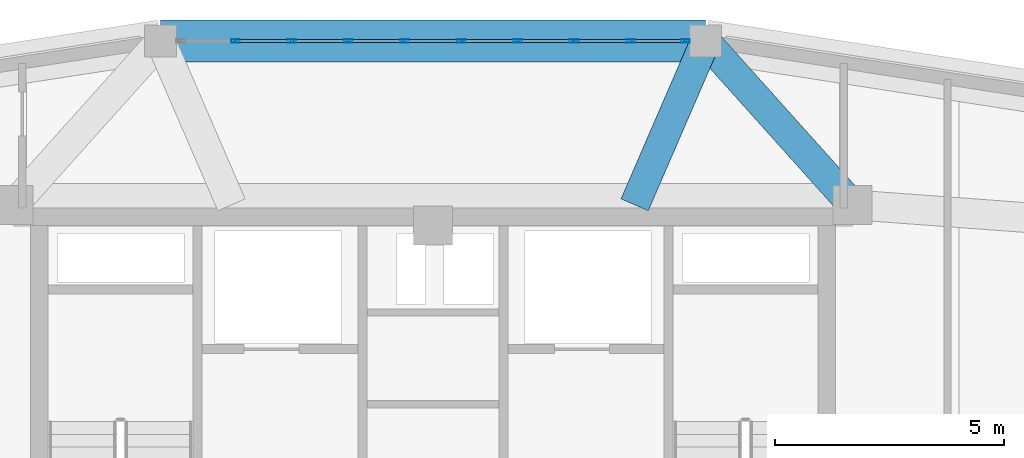
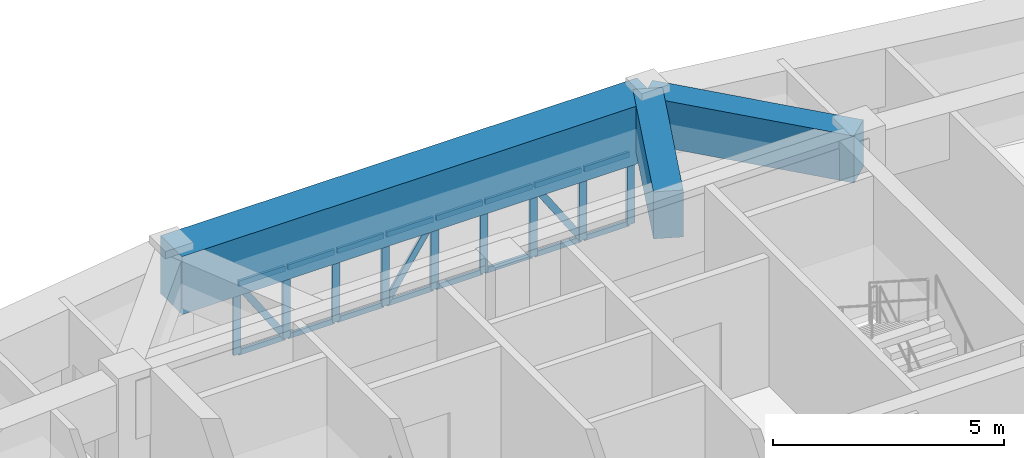
# One storey, part 11 of 16: 28 members, 3 beams, 1 element without a shape of its own.
"""IFC4 building model written with IfcOpenShell, lengths in metres."""

from ifc_helpers import new_model, si_unit, derived_unit, direction, frame, origin, origin_2d, place, context, subcontext, project, spatial, rectangle, hollow_rectangle, extrude, source, transform, mapped, material, layer, layer_set, material_profile, profile_set, type_object, element, aggregate, save


model = new_model("IFC4")

# Units and contexts
model_context = context("Model", 3, precision=1e-05, world=origin(), true_north=direction((0.0, 1.0)))
body_context = subcontext(model_context, "Body", "Model", "MODEL_VIEW")
ifc_project = project(units=[si_unit("LENGTHUNIT", "METRE"), si_unit("AREAUNIT", "SQUARE_METRE"), si_unit("VOLUMEUNIT", "CUBIC_METRE"), si_unit("PLANEANGLEUNIT", "RADIAN"), si_unit("MASSUNIT", "GRAM", prefix="KILO"), derived_unit("THERMALTRANSMITTANCEUNIT", [(si_unit("POWERUNIT", "WATT"), 1), (si_unit("LENGTHUNIT", "METRE"), -2), (si_unit("THERMODYNAMICTEMPERATUREUNIT", "KELVIN"), -1)])], contexts=[model_context])

# Site, building, storey
site_placement = place(None, origin())
site = spatial("IfcSite", under=ifc_project, at=site_placement, CompositionType="ELEMENT")
building_placement = place(site_placement, origin())
building = spatial("IfcBuilding", under=site, at=building_placement, Name="Korsvarv Bourse and Concert Hall", CompositionType="ELEMENT")
storey_placement = place(building_placement, frame((0.0, 0.0, 261.0)))
storey = spatial("IfcBuildingStorey", under=building, at=storey_placement, Name="L68", CompositionType="ELEMENT", Elevation=261.0)

# Beams
ifc_material_1 = material(Name="Concrete C50/60", Category="concrete")
ifc_material_profile_1 = material_profile(ifc_material_1, rectangle(XDim=0.919921875, YDim=1.530029296875, at=origin_2d()), Name="RC-BM 920x1530")
ifc_profile_set_1 = profile_set([ifc_material_profile_1], Name="Concrete C50/60")
beam_type_1 = type_object("IfcBeamType", Name="BM-TR-154", PredefinedType="BEAM", material=ifc_profile_set_1)
shared_shape_1 = source(origin(), body_context, "Body", "SweptSolid", [
    extrude(rectangle(XDim=0.919921875, YDim=1.530029296875, at=origin_2d()), origin(), (0.0, 0.0, 1.0), 11.8916015625),
])
beam_1_placement = place(storey_placement, frame((41.94580078125, 50.82275390625, 2.64501953125), z_axis=(-1.0, 0.0, 0.0), x_axis=(0.0, -1.0, 0.0)))
element("IfcBeam", 1, at=beam_1_placement, inside=storey, type_object=beam_type_1, Name="L68 beam B-TR6", PredefinedType="BEAM", context=body_context, shape_type="MappedRepresentation", body=[
    mapped(shared_shape_1, transform((0.0, 0.0, 0.0), scale=1.0)),
])
ifc_material_profile_2 = material_profile(ifc_material_1, rectangle(XDim=0.64990234375, YDim=1.239990234375, at=origin_2d()), Name="RC-BM 650x1240")
ifc_profile_set_2 = profile_set([ifc_material_profile_2], Name="Concrete C50/60")
beam_type_2 = type_object("IfcBeamType", Name="BM-TR-SPN", PredefinedType="BEAM", material=ifc_profile_set_2)
shared_shape_2 = source(origin(), body_context, "Body", "SweptSolid", [
    extrude(rectangle(XDim=0.64990234375, YDim=1.239990234375, at=origin_2d()), origin(), (0.0, 0.0, 1.0), 4.799072265625),
])
beam_2_placement = place(storey_placement, frame((41.94580078125, 50.82275390625, 2.7900390625), z_axis=(0.667653930614, -0.744471778468, 0.0), x_axis=(0.744471778468, 0.667653930614, 0.0)))
element("IfcBeam", 2, at=beam_2_placement, inside=storey, type_object=beam_type_2, Name="L68 beam B-TRS", PredefinedType="BEAM", context=body_context, shape_type="MappedRepresentation", body=[
    mapped(shared_shape_2, transform((0.0, 0.0, 0.0), scale=1.0)),
])
shared_shape_3 = source(origin(), body_context, "Body", "SweptSolid", [
    extrude(rectangle(XDim=0.64990234375, YDim=1.239990234375, at=origin_2d()), origin(), (0.0, 0.0, 1.0), 3.893310546875),
])
beam_3_placement = place(storey_placement, frame((41.94580078125, 50.82275390625, 2.7900390625), z_axis=(-0.397322325566, -0.917679121265, 0.0), x_axis=(0.917679121265, -0.397322325566, 0.0)))
element("IfcBeam", 3, at=beam_3_placement, inside=storey, type_object=beam_type_2, Name="L68 beam B-TRS", PredefinedType="BEAM", context=body_context, shape_type="MappedRepresentation", body=[
    mapped(shared_shape_3, transform((0.0, 0.0, 0.0), scale=1.0)),
])

# Curtain wall, members
ifc_material_2 = material(Name="Anodised aluminium and triple low-E glazing", Category="glass")
ifc_layer = layer(ifc_material_2, 0.199951171875)
ifc_layer_set = layer_set([ifc_layer], Name="Anodised aluminium and triple low-E glazing")
curtain_wall_type = type_object("IfcCurtainWallType", Name="CW-SYS-3", PredefinedType="NOTDEFINED", material=ifc_layer_set)
curtain_wall_placement = place(storey_placement, origin())
curtain_wall = element("IfcCurtainWall", 4, at=curtain_wall_placement, inside=storey, type_object=curtain_wall_type, Name="L68 CW3 curtain wall CW-L68-F03", PredefinedType="NOTDEFINED")
ifc_material_3 = material(Name="Extruded aluminium EN AW-6063 T66", Category="aluminium")
ifc_material_profile_3 = material_profile(ifc_material_3, hollow_rectangle(XDim=0.070068359375, YDim=0.18994140625, WallThickness=0.0048828125, at=origin_2d()), Name="ALU-M 70x190")
ifc_profile_set_3 = profile_set([ifc_material_profile_3], Name="Extruded aluminium EN AW-6063 T66")
member_type_1 = type_object("IfcMemberType", Name="CWM-190", PredefinedType="MULLION", material=ifc_profile_set_3)
shared_shape_4 = source(origin(), body_context, "Body", "SweptSolid", [
    extrude(hollow_rectangle(XDim=0.070068359375, YDim=0.18994140625, WallThickness=0.0048828125, at=origin_2d()), origin(), (0.0, 0.0, 1.0), 1.8798828125),
])
member_1_placement = place(storey_placement, frame((41.5107421875, 50.82275390625, 0.0), z_axis=(0.0, 0.0, 1.0), x_axis=(0.0, -1.0, 0.0)))
member_1 = element("IfcMember", 5, at=member_1_placement, type_object=member_type_1, Name="CW3 mullion 1", PredefinedType="MULLION", context=body_context, shape_type="MappedRepresentation", body=[
    mapped(shared_shape_4, transform((0.0, 0.0, 0.0), scale=1.0)),
])
member_2_placement = place(storey_placement, frame((40.313232421875, 50.82275390625, 0.0), z_axis=(0.0, 0.0, 1.0), x_axis=(0.0, -1.0, 0.0)))
member_2 = element("IfcMember", 6, at=member_2_placement, type_object=member_type_1, Name="CW3 mullion 2", PredefinedType="MULLION", context=body_context, shape_type="MappedRepresentation", body=[
    mapped(shared_shape_4, transform((0.0, 0.0, 0.0), scale=1.0)),
])
member_3_placement = place(storey_placement, frame((39.0810546875, 50.82275390625, 0.0), z_axis=(0.0, 0.0, 1.0), x_axis=(0.0, -1.0, 0.0)))
member_3 = element("IfcMember", 7, at=member_3_placement, type_object=member_type_1, Name="CW3 mullion 3", PredefinedType="MULLION", context=body_context, shape_type="MappedRepresentation", body=[
    mapped(shared_shape_4, transform((0.0, 0.0, 0.0), scale=1.0)),
])
member_4_placement = place(storey_placement, frame((37.8486328125, 50.82275390625, 0.0), z_axis=(0.0, 0.0, 1.0), x_axis=(0.0, -1.0, 0.0)))
member_4 = element("IfcMember", 8, at=member_4_placement, type_object=member_type_1, Name="CW3 mullion 4", PredefinedType="MULLION", context=body_context, shape_type="MappedRepresentation", body=[
    mapped(shared_shape_4, transform((0.0, 0.0, 0.0), scale=1.0)),
])
member_5_placement = place(storey_placement, frame((36.6162109375, 50.82275390625, 0.0), z_axis=(0.0, 0.0, 1.0), x_axis=(0.0, -1.0, 0.0)))
member_5 = element("IfcMember", 9, at=member_5_placement, type_object=member_type_1, Name="CW3 mullion 5", PredefinedType="MULLION", context=body_context, shape_type="MappedRepresentation", body=[
    mapped(shared_shape_4, transform((0.0, 0.0, 0.0), scale=1.0)),
])
member_6_placement = place(storey_placement, frame((35.3837890625, 50.82275390625, 0.0), z_axis=(0.0, 0.0, 1.0), x_axis=(0.0, -1.0, 0.0)))
member_6 = element("IfcMember", 10, at=member_6_placement, type_object=member_type_1, Name="CW3 mullion 6", PredefinedType="MULLION", context=body_context, shape_type="MappedRepresentation", body=[
    mapped(shared_shape_4, transform((0.0, 0.0, 0.0), scale=1.0)),
])
member_7_placement = place(storey_placement, frame((34.1513671875, 50.82275390625, 0.0), z_axis=(0.0, 0.0, 1.0), x_axis=(0.0, -1.0, 0.0)))
member_7 = element("IfcMember", 11, at=member_7_placement, type_object=member_type_1, Name="CW3 mullion 7", PredefinedType="MULLION", context=body_context, shape_type="MappedRepresentation", body=[
    mapped(shared_shape_4, transform((0.0, 0.0, 0.0), scale=1.0)),
])
member_8_placement = place(storey_placement, frame((32.9189453125, 50.82275390625, 0.0), z_axis=(0.0, 0.0, 1.0), x_axis=(0.0, -1.0, 0.0)))
member_8 = element("IfcMember", 12, at=member_8_placement, type_object=member_type_1, Name="CW3 mullion 8", PredefinedType="MULLION", context=body_context, shape_type="MappedRepresentation", body=[
    mapped(shared_shape_4, transform((0.0, 0.0, 0.0), scale=1.0)),
])
member_9_placement = place(storey_placement, frame((31.686767578125, 50.82275390625, 0.0), z_axis=(0.0, 0.0, 1.0), x_axis=(0.0, -1.0, 0.0)))
member_9 = element("IfcMember", 13, at=member_9_placement, type_object=member_type_1, Name="CW3 mullion 9", PredefinedType="MULLION", context=body_context, shape_type="MappedRepresentation", body=[
    mapped(shared_shape_4, transform((0.0, 0.0, 0.0), scale=1.0)),
])
ifc_material_profile_4 = material_profile(ifc_material_3, hollow_rectangle(XDim=0.06494140625, YDim=0.139892578125, WallThickness=0.00390625, at=origin_2d()), Name="ALU-T 65x140")
ifc_profile_set_4 = profile_set([ifc_material_profile_4], Name="Extruded aluminium EN AW-6063 T66")
member_type_2 = type_object("IfcMemberType", Name="CWT-140", PredefinedType="USERDEFINED", material=ifc_profile_set_4)
shared_shape_5 = source(origin(), body_context, "Body", "SweptSolid", [
    extrude(hollow_rectangle(XDim=0.06494140625, YDim=0.139892578125, WallThickness=0.00390625, at=origin_2d()), origin(), (0.0, 0.0, 1.0), 1.127197265625),
])
member_10_placement = place(storey_placement, frame((41.4755859375, 50.82275390625, 0.032470703125), z_axis=(-1.0, 0.0, 0.0), x_axis=(0.0, -1.0, 0.0)))
member_10 = element("IfcMember", 14, at=member_10_placement, type_object=member_type_2, Name="CW3 transom 1.1", ObjectType="TRANSOM", PredefinedType="USERDEFINED", context=body_context, shape_type="MappedRepresentation", body=[
    mapped(shared_shape_5, transform((0.0, 0.0, 0.0), scale=1.0)),
])
member_11_placement = place(storey_placement, frame((41.4755859375, 50.82275390625, 1.847412109375), z_axis=(-1.0, 0.0, 0.0), x_axis=(0.0, -1.0, 0.0)))
member_11 = element("IfcMember", 15, at=member_11_placement, type_object=member_type_2, Name="CW3 transom 1.2", ObjectType="TRANSOM", PredefinedType="USERDEFINED", context=body_context, shape_type="MappedRepresentation", body=[
    mapped(shared_shape_5, transform((0.0, 0.0, 0.0), scale=1.0)),
])
shared_shape_6 = source(origin(), body_context, "Body", "SweptSolid", [
    extrude(hollow_rectangle(XDim=0.06494140625, YDim=0.139892578125, WallThickness=0.00390625, at=origin_2d()), origin(), (0.0, 0.0, 1.0), 1.162353515625),
])
member_12_placement = place(storey_placement, frame((40.2783203125, 50.82275390625, 0.032470703125), z_axis=(-1.0, 0.0, 0.0), x_axis=(0.0, -1.0, 0.0)))
member_12 = element("IfcMember", 16, at=member_12_placement, type_object=member_type_2, Name="CW3 transom 2.1", ObjectType="TRANSOM", PredefinedType="USERDEFINED", context=body_context, shape_type="MappedRepresentation", body=[
    mapped(shared_shape_6, transform((0.0, 0.0, 0.0), scale=1.0)),
])
member_13_placement = place(storey_placement, frame((40.2783203125, 50.82275390625, 1.847412109375), z_axis=(-1.0, 0.0, 0.0), x_axis=(0.0, -1.0, 0.0)))
member_13 = element("IfcMember", 17, at=member_13_placement, type_object=member_type_2, Name="CW3 transom 2.2", ObjectType="TRANSOM", PredefinedType="USERDEFINED", context=body_context, shape_type="MappedRepresentation", body=[
    mapped(shared_shape_6, transform((0.0, 0.0, 0.0), scale=1.0)),
])
member_14_placement = place(storey_placement, frame((39.0458984375, 50.82275390625, 0.032470703125), z_axis=(-1.0, 0.0, 0.0), x_axis=(0.0, -1.0, 0.0)))
member_14 = element("IfcMember", 18, at=member_14_placement, type_object=member_type_2, Name="CW3 transom 3.1", ObjectType="TRANSOM", PredefinedType="USERDEFINED", context=body_context, shape_type="MappedRepresentation", body=[
    mapped(shared_shape_6, transform((0.0, 0.0, 0.0), scale=1.0)),
])
member_15_placement = place(storey_placement, frame((39.0458984375, 50.82275390625, 1.847412109375), z_axis=(-1.0, 0.0, 0.0), x_axis=(0.0, -1.0, 0.0)))
member_15 = element("IfcMember", 19, at=member_15_placement, type_object=member_type_2, Name="CW3 transom 3.2", ObjectType="TRANSOM", PredefinedType="USERDEFINED", context=body_context, shape_type="MappedRepresentation", body=[
    mapped(shared_shape_6, transform((0.0, 0.0, 0.0), scale=1.0)),
])
member_16_placement = place(storey_placement, frame((37.8134765625, 50.82275390625, 0.032470703125), z_axis=(-1.0, 0.0, 0.0), x_axis=(0.0, -1.0, 0.0)))
member_16 = element("IfcMember", 20, at=member_16_placement, type_object=member_type_2, Name="CW3 transom 4.1", ObjectType="TRANSOM", PredefinedType="USERDEFINED", context=body_context, shape_type="MappedRepresentation", body=[
    mapped(shared_shape_6, transform((0.0, 0.0, 0.0), scale=1.0)),
])
member_17_placement = place(storey_placement, frame((37.8134765625, 50.82275390625, 1.847412109375), z_axis=(-1.0, 0.0, 0.0), x_axis=(0.0, -1.0, 0.0)))
member_17 = element("IfcMember", 21, at=member_17_placement, type_object=member_type_2, Name="CW3 transom 4.2", ObjectType="TRANSOM", PredefinedType="USERDEFINED", context=body_context, shape_type="MappedRepresentation", body=[
    mapped(shared_shape_6, transform((0.0, 0.0, 0.0), scale=1.0)),
])
member_18_placement = place(storey_placement, frame((35.348876953125, 50.82275390625, 0.032470703125), z_axis=(-1.0, 0.0, 0.0), x_axis=(0.0, -1.0, 0.0)))
member_18 = element("IfcMember", 22, at=member_18_placement, type_object=member_type_2, Name="CW3 transom 6.1", ObjectType="TRANSOM", PredefinedType="USERDEFINED", context=body_context, shape_type="MappedRepresentation", body=[
    mapped(shared_shape_6, transform((0.0, 0.0, 0.0), scale=1.0)),
])
member_19_placement = place(storey_placement, frame((35.348876953125, 50.82275390625, 1.847412109375), z_axis=(-1.0, 0.0, 0.0), x_axis=(0.0, -1.0, 0.0)))
member_19 = element("IfcMember", 23, at=member_19_placement, type_object=member_type_2, Name="CW3 transom 6.2", ObjectType="TRANSOM", PredefinedType="USERDEFINED", context=body_context, shape_type="MappedRepresentation", body=[
    mapped(shared_shape_6, transform((0.0, 0.0, 0.0), scale=1.0)),
])
member_20_placement = place(storey_placement, frame((34.116455078125, 50.82275390625, 0.032470703125), z_axis=(-1.0, 0.0, 0.0), x_axis=(0.0, -1.0, 0.0)))
member_20 = element("IfcMember", 24, at=member_20_placement, type_object=member_type_2, Name="CW3 transom 7.1", ObjectType="TRANSOM", PredefinedType="USERDEFINED", context=body_context, shape_type="MappedRepresentation", body=[
    mapped(shared_shape_6, transform((0.0, 0.0, 0.0), scale=1.0)),
])
member_21_placement = place(storey_placement, frame((34.116455078125, 50.82275390625, 1.847412109375), z_axis=(-1.0, 0.0, 0.0), x_axis=(0.0, -1.0, 0.0)))
member_21 = element("IfcMember", 25, at=member_21_placement, type_object=member_type_2, Name="CW3 transom 7.2", ObjectType="TRANSOM", PredefinedType="USERDEFINED", context=body_context, shape_type="MappedRepresentation", body=[
    mapped(shared_shape_6, transform((0.0, 0.0, 0.0), scale=1.0)),
])
member_22_placement = place(storey_placement, frame((32.884033203125, 50.82275390625, 0.032470703125), z_axis=(-1.0, 0.0, 0.0), x_axis=(0.0, -1.0, 0.0)))
member_22 = element("IfcMember", 26, at=member_22_placement, type_object=member_type_2, Name="CW3 transom 8.1", ObjectType="TRANSOM", PredefinedType="USERDEFINED", context=body_context, shape_type="MappedRepresentation", body=[
    mapped(shared_shape_6, transform((0.0, 0.0, 0.0), scale=1.0)),
])
member_23_placement = place(storey_placement, frame((32.884033203125, 50.82275390625, 1.847412109375), z_axis=(-1.0, 0.0, 0.0), x_axis=(0.0, -1.0, 0.0)))
member_23 = element("IfcMember", 27, at=member_23_placement, type_object=member_type_2, Name="CW3 transom 8.2", ObjectType="TRANSOM", PredefinedType="USERDEFINED", context=body_context, shape_type="MappedRepresentation", body=[
    mapped(shared_shape_6, transform((0.0, 0.0, 0.0), scale=1.0)),
])
ifc_material_profile_5 = material_profile(ifc_material_3, hollow_rectangle(XDim=0.06494140625, YDim=0.1650390625, WallThickness=0.0048828125, at=origin_2d()), Name="ALU-M 65x165")
ifc_profile_set_5 = profile_set([ifc_material_profile_5], Name="Extruded aluminium EN AW-6063 T66")
member_type_3 = type_object("IfcMemberType", Name="CWM-165", PredefinedType="MULLION", material=ifc_profile_set_5)
shared_shape_7 = source(origin(), body_context, "Body", "SweptSolid", [
    extrude(hollow_rectangle(XDim=0.06494140625, YDim=0.1650390625, WallThickness=0.0048828125, at=origin_2d()), origin(), (0.0, 0.0, 1.0), 2.100830078125),
])
member_24_placement = place(storey_placement, frame((40.2783203125, 50.82275390625, 0.06494140625), z_axis=(-0.553278043462, 0.0, 0.832996642624), x_axis=(0.0, -1.0, 0.0)))
member_24 = element("IfcMember", 28, at=member_24_placement, type_object=member_type_3, Name="CW3 diagonal mullion 2", PredefinedType="MULLION", context=body_context, shape_type="MappedRepresentation", body=[
    mapped(shared_shape_7, transform((0.0, 0.0, 0.0), scale=1.0)),
])
member_25_placement = place(storey_placement, frame((32.884033203125, 50.82275390625, 0.06494140625), z_axis=(-0.553278043462, 0.0, 0.832996642624), x_axis=(0.0, -1.0, 0.0)))
member_25 = element("IfcMember", 29, at=member_25_placement, type_object=member_type_3, Name="CW3 diagonal mullion 8", PredefinedType="MULLION", context=body_context, shape_type="MappedRepresentation", body=[
    mapped(shared_shape_7, transform((0.0, 0.0, 0.0), scale=1.0)),
])
shared_shape_8 = source(origin(), body_context, "Body", "SweptSolid", [
    extrude(hollow_rectangle(XDim=0.06494140625, YDim=0.139892578125, WallThickness=0.00390625, at=origin_2d()), origin(), (0.0, 0.0, 1.0), 1.16259765625),
])
member_26_placement = place(storey_placement, frame((36.581298828125, 50.82275390625, 0.032470703125), z_axis=(-1.0, 0.0, 0.0), x_axis=(0.0, -1.0, 0.0)))
member_26 = element("IfcMember", 30, at=member_26_placement, type_object=member_type_2, Name="CW3 transom 5.1", ObjectType="TRANSOM", PredefinedType="USERDEFINED", context=body_context, shape_type="MappedRepresentation", body=[
    mapped(shared_shape_8, transform((0.0, 0.0, 0.0), scale=1.0)),
])
member_27_placement = place(storey_placement, frame((36.581298828125, 50.82275390625, 1.847412109375), z_axis=(-1.0, 0.0, 0.0), x_axis=(0.0, -1.0, 0.0)))
member_27 = element("IfcMember", 31, at=member_27_placement, type_object=member_type_2, Name="CW3 transom 5.2", ObjectType="TRANSOM", PredefinedType="USERDEFINED", context=body_context, shape_type="MappedRepresentation", body=[
    mapped(shared_shape_8, transform((0.0, 0.0, 0.0), scale=1.0)),
])
shared_shape_9 = source(origin(), body_context, "Body", "SweptSolid", [
    extrude(hollow_rectangle(XDim=0.06494140625, YDim=0.1650390625, WallThickness=0.0048828125, at=origin_2d()), origin(), (0.0, 0.0, 1.0), 2.10107421875),
])
member_28_placement = place(storey_placement, frame((35.418701171875, 50.82275390625, 0.06494140625), z_axis=(0.553358672201, 0.0, 0.832943083229), x_axis=(0.0, 1.0, 0.0)))
member_28 = element("IfcMember", 32, at=member_28_placement, type_object=member_type_3, Name="CW3 diagonal mullion 5", PredefinedType="MULLION", context=body_context, shape_type="MappedRepresentation", body=[
    mapped(shared_shape_9, transform((0.0, 0.0, 0.0), scale=1.0)),
])
aggregate(curtain_wall, [member_1, member_2, member_3, member_4, member_5, member_6, member_7, member_8, member_9, member_10, member_11, member_12, member_13, member_24, member_14, member_15, member_16, member_17, member_26, member_27, member_28, member_18, member_19, member_20, member_21, member_22, member_23, member_25])

save(model, "model.ifc")
